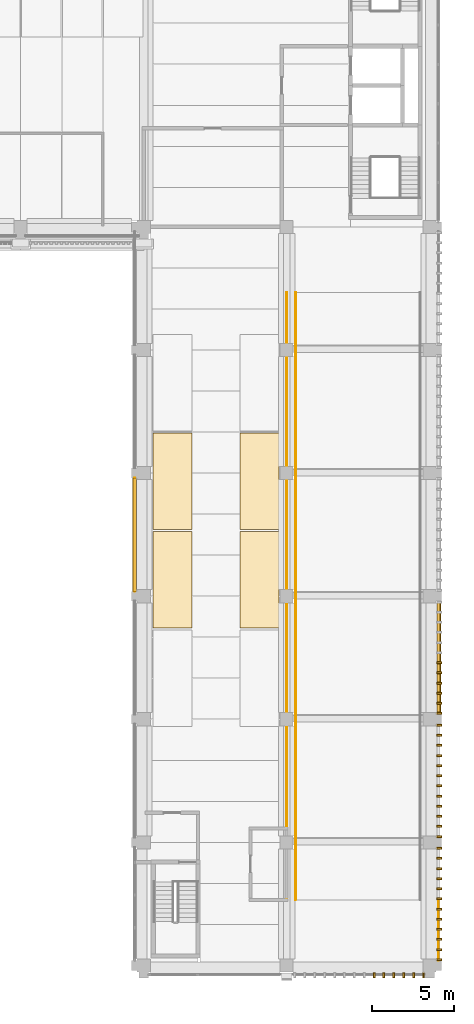
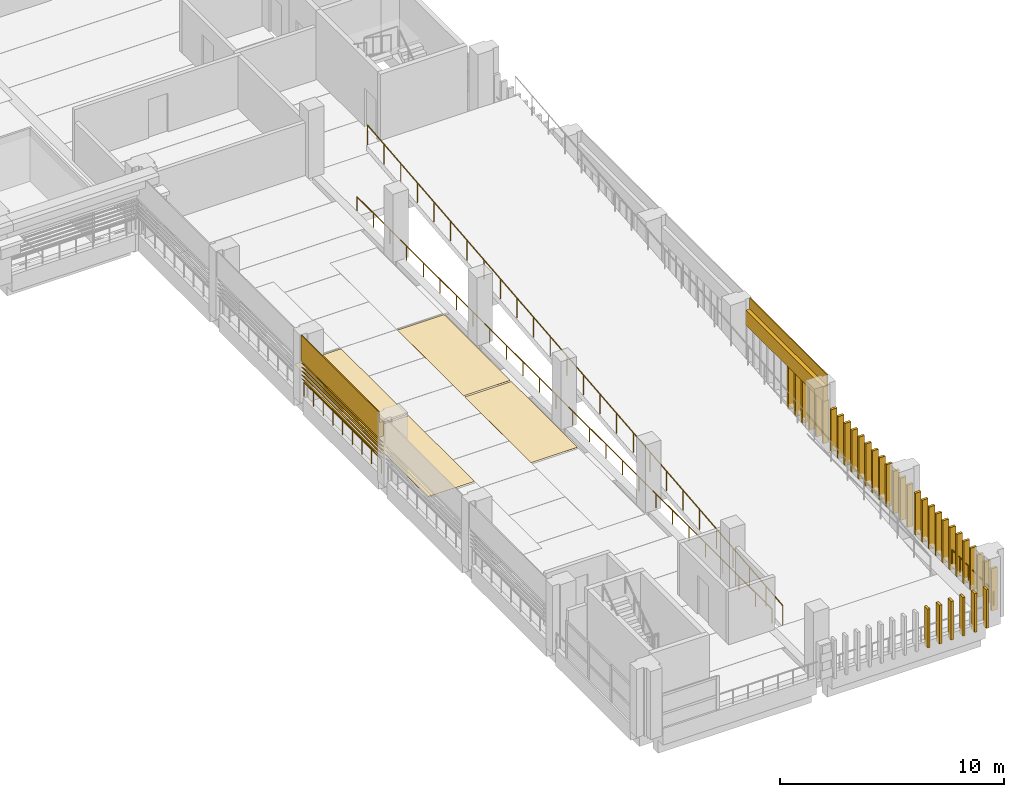
# One storey, part 59 of 71: 42 coverings, 5 shading devices, 4 railings.
"""IFC4 building model written with IfcOpenShell, lengths in metres."""

import ifcopenshell
import ifcopenshell.guid

model = None  # the IFC model being written
_history = None  # IfcOwnerHistory: only IFC2X3 demands one
_inside = {}  # id of a spatial element -> (the spatial element, [elements in it])
_under = {}  # id of a project, library or spatial element -> (it, [spatial elements below it])
_declared = {}  # id of a project -> (the project, [libraries it declares])
_typed = {}  # id of a type object -> (the type object, [elements of that type])
_made_of = {}  # id of a material, layer set ... -> (it, [elements and type objects made of it])


def new_model(schema):
    """Start an empty IFC model of exactly this schema.

    Asked for "IFC4X3", IfcOpenShell would pick the latest addendum, in which some entities
    have other attributes; the version numbers below select the first issue.
    IFC2X3 requires an IfcOwnerHistory on every rooted entity: one is made here for all.
    """
    global model, _history
    if schema == "IFC4X3":
        model = ifcopenshell.file(schema_version=(4, 3, 0, 0))
    else:
        model = ifcopenshell.file(schema=schema)
    _inside.clear()
    _under.clear()
    _declared.clear()
    _typed.clear()
    _made_of.clear()
    _history = None
    if model.schema == "IFC2X3":
        org = make("IfcOrganization", Name="unknown")
        user = make(
            "IfcPersonAndOrganization",
            ThePerson=make("IfcPerson", FamilyName="unknown"),
            TheOrganization=org,
        )
        app = make(
            "IfcApplication",
            ApplicationDeveloper=org,
            Version="unknown",
            ApplicationFullName="unknown",
            ApplicationIdentifier="unknown",
        )
        _history = make(
            "IfcOwnerHistory",
            OwningUser=user,
            OwningApplication=app,
            ChangeAction="ADDED",
            CreationDate=0,
        )
    return model


def make(cls, **values):
    """One entity of the class cls with the attributes given. An attribute that is None is left unset."""
    return model.create_entity(
        cls, **{name: value for name, value in values.items() if value is not None}
    )


def rooted(cls, **values):
    """An entity with a GlobalId (a new one), such as an element, a storey or a relation."""
    return make(cls, GlobalId=ifcopenshell.guid.new(), OwnerHistory=_history, **values)


def si_unit(unit_type, name, prefix=None):
    """IfcSIUnit, for example si_unit("LENGTHUNIT", "METRE", prefix="MILLI")."""
    return make("IfcSIUnit", UnitType=unit_type, Prefix=prefix, Name=name)


def assignment(units):
    """IfcUnitAssignment: the units of a project."""
    return None if units is None else make("IfcUnitAssignment", Units=units)


def point(xyz):
    """IfcCartesianPoint."""
    return None if xyz is None else make("IfcCartesianPoint", Coordinates=xyz)


def direction(xyz):
    """IfcDirection."""
    return None if xyz is None else make("IfcDirection", DirectionRatios=xyz)


def frame(location, z_axis=None, x_axis=None):
    """IfcAxis2Placement3D, a coordinate frame: its origin and axes. An axis left out is left unset."""
    return make(
        "IfcAxis2Placement3D",
        Location=point(location),
        Axis=direction(z_axis),
        RefDirection=direction(x_axis),
    )


def frame_2d(location, x_axis=None):
    """IfcAxis2Placement2D, a coordinate frame in the plane: its origin and x axis."""
    return make(
        "IfcAxis2Placement2D", Location=point(location), RefDirection=direction(x_axis)
    )


def origin():
    """The frame at (0, 0, 0) with its axes left unset."""
    return frame((0.0, 0.0, 0.0))


def origin_2d():
    """The frame at (0, 0) in the plane with its x axis left unset."""
    return frame_2d((0.0, 0.0))


def place(relative_to, where):
    """IfcLocalPlacement: puts the frame where relative to a parent placement (None: the world)."""
    return make(
        "IfcLocalPlacement", PlacementRelTo=relative_to, RelativePlacement=where
    )


def context(
    kind, dimensions, precision=None, world=None, true_north=None, identifier=None
):
    """IfcGeometricRepresentationContext, for example the 3D "Model" context."""
    return make(
        "IfcGeometricRepresentationContext",
        ContextIdentifier=identifier,
        ContextType=kind,
        CoordinateSpaceDimension=dimensions,
        Precision=precision,
        WorldCoordinateSystem=world,
        TrueNorth=true_north,
    )


def subcontext(parent, identifier, kind, view, scale=None):
    """IfcGeometricRepresentationSubContext, for example "Body" below "Model"."""
    return make(
        "IfcGeometricRepresentationSubContext",
        ContextIdentifier=identifier,
        ContextType=kind,
        ParentContext=parent,
        TargetScale=scale,
        TargetView=view,
    )


def project(units=None, contexts=None):
    """IfcProject with its units and contexts."""
    return rooted(
        "IfcProject",
        Name="project",
        RepresentationContexts=contexts,
        UnitsInContext=assignment(units),
    )


def spatial(cls, under=None, at=None, **own):
    """A site, building, storey or space (cls), placed at a placement, below another one or the project."""
    s = rooted(cls, ObjectPlacement=at, **own)
    if under is not None:
        _under.setdefault(under.id(), (under, []))[1].append(s)
    return s


def polyline(points):
    """IfcPolyline through the points."""
    return make("IfcPolyline", Points=[point(p) for p in points])


def profile(cls, at=None, kind="AREA", **sizes):
    """A parametric profile (cls). Its sizes go by their IFC names, for example OverallWidth=200.0."""
    return make(cls, ProfileType=kind, Position=at, **sizes)


def circle(**sizes):
    """IfcCircleProfileDef."""
    return profile("IfcCircleProfileDef", **sizes)


def outline(outer, holes=None, kind="AREA"):
    """IfcArbitraryClosedProfileDef: a profile drawn as a closed curve; with holes, ...WithVoids."""
    if holes is None:
        return make("IfcArbitraryClosedProfileDef", ProfileType=kind, OuterCurve=outer)
    return make(
        "IfcArbitraryProfileDefWithVoids",
        ProfileType=kind,
        OuterCurve=outer,
        InnerCurves=holes,
    )


def extrude(swept, where, along, depth):
    """IfcExtrudedAreaSolid: the profile swept, set in the frame where, extruded along a direction by depth."""
    return make(
        "IfcExtrudedAreaSolid",
        SweptArea=swept,
        Position=where,
        ExtrudedDirection=direction(along),
        Depth=depth,
    )


def shape(context_of_items, identifier, shape_type, items):
    """IfcShapeRepresentation: the items that make up one representation, for example the "Body"."""
    return make(
        "IfcShapeRepresentation",
        ContextOfItems=context_of_items,
        RepresentationIdentifier=identifier,
        RepresentationType=shape_type,
        Items=items,
    )


def material(Name=None, Category=None):
    """IfcMaterial."""
    return make("IfcMaterial", Name=Name, Category=Category)


def layer(
    of_material, thickness, ventilated=None, Name=None, Category=None, Priority=None
):
    """IfcMaterialLayer: one layer of a wall or slab, of a material (None: an air gap)."""
    return make(
        "IfcMaterialLayer",
        Material=of_material,
        LayerThickness=thickness,
        IsVentilated=ventilated,
        Name=Name,
        Category=Category,
        Priority=Priority,
    )


def layer_set(layers, Name=None):
    """IfcMaterialLayerSet."""
    return make("IfcMaterialLayerSet", MaterialLayers=layers, LayerSetName=Name)


def made_of(thing, what):
    """Note that an element or type object is made of a material, layer set ...; save() writes the relation."""
    if what is not None:
        _made_of.setdefault(what.id(), (what, []))[1].append(thing)
    return thing


def type_object(cls, material=None, **own):
    """A type object (cls), such as IfcWallType, which elements share."""
    return made_of(rooted(cls, **own), material)


def element(
    cls,
    number,
    at=None,
    inside=None,
    cuts=None,
    type_object=None,
    material=None,
    context=None,
    identifier="Body",
    shape_type=None,
    held_by="IfcProductDefinitionShape",
    body=None,
    shapes=None,
    **own,
):
    """One element of the class cls, such as IfcWall. Its Tag is "e" and its number.

    at: its placement. inside: the storey or other place that contains it. cuts: it is an
    opening in that element (IfcRelVoidsElement). A single representation is given by context,
    identifier, shape_type and body (its items); several are given by shapes. held_by: the class
    of the entity that holds the representations. save() writes the other relations.
    """
    e = rooted(cls, Tag="e%d" % number, ObjectPlacement=at, **own)
    if body is not None:
        shapes = [shape(context, identifier, shape_type, body)]
    if shapes is not None:
        e.Representation = make(held_by, Representations=shapes)
    if inside is not None:
        _inside.setdefault(inside.id(), (inside, []))[1].append(e)
    if cuts is not None:
        rooted(
            "IfcRelVoidsElement", RelatingBuildingElement=cuts, RelatedOpeningElement=e
        )
    if type_object is not None:
        _typed.setdefault(type_object.id(), (type_object, []))[1].append(e)
    return made_of(e, material)


def aggregate(whole, parts):
    """IfcRelAggregates: a whole, such as a stair, and the parts it consists of."""
    return rooted("IfcRelAggregates", RelatingObject=whole, RelatedObjects=parts)


def save(model, path):
    """Write the relations noted so far, then the file.

    IfcRelAggregates (storeys below a building ...), IfcRelContainedInSpatialStructure (elements
    in a storey), IfcRelDefinesByType, IfcRelAssociatesMaterial and IfcRelDeclares: one each for
    every whole, place, type object, material and project.
    """
    for whole, parts in _under.values():
        aggregate(whole, parts)
    for where, things in _inside.values():
        rooted(
            "IfcRelContainedInSpatialStructure",
            RelatedElements=things,
            RelatingStructure=where,
        )
    for kind, things in _typed.values():
        rooted("IfcRelDefinesByType", RelatedObjects=things, RelatingType=kind)
    for what, things in _made_of.values():
        rooted("IfcRelAssociatesMaterial", RelatedObjects=things, RelatingMaterial=what)
    for by, libraries in _declared.values():
        rooted("IfcRelDeclares", RelatingContext=by, RelatedDefinitions=libraries)
    model.write(path)


model = new_model("IFC4")

# Units and contexts
model_context = context("Model", 3, precision=1e-05, world=origin(), true_north=direction((0.0, 1.0)))
body_context = subcontext(model_context, "Body", "Model", "MODEL_VIEW")
ifc_project = project(units=[si_unit("LENGTHUNIT", "METRE"), si_unit("AREAUNIT", "SQUARE_METRE"), si_unit("VOLUMEUNIT", "CUBIC_METRE"), si_unit("PLANEANGLEUNIT", "RADIAN"), si_unit("MASSUNIT", "GRAM", prefix="KILO")], contexts=[model_context])

# Site, building, storey
site_placement = place(None, origin())
site = spatial("IfcSite", under=ifc_project, at=site_placement, CompositionType="ELEMENT")
building_placement = place(site_placement, origin())
building = spatial("IfcBuilding", under=site, at=building_placement, Name="Cour d'Honneur Mobility Palace", CompositionType="ELEMENT")
storey_placement = place(building_placement, frame((0.0, 0.0, 15.60009765625)))
storey = spatial("IfcBuildingStorey", under=building, at=storey_placement, Name="L04", CompositionType="ELEMENT", Elevation=15.60009765625)

# Railings
ifc_material_1 = material(Name="Painted steel", Category="steel")
railing_type_1 = type_object("IfcRailingType", Name="Balustrade", PredefinedType="BALUSTRADE", material=ifc_material_1)
railing_1_placement = place(storey_placement, frame((144.35009765625, 29.699951171875, 0.2998046875)))
element("IfcRailing", 1, at=railing_1_placement, inside=storey, type_object=railing_type_1, Name="Balustrade BAL-220", PredefinedType="BALUSTRADE", context=body_context, shape_type="SweptSolid", body=[
    extrude(circle(Radius=0.02392578125, at=origin_2d()), frame((0.0, 0.0, 0.77587890625), z_axis=(0.0, -1.0, 0.0), x_axis=(1.0, 0.0, 0.0)), (0.0, 0.0, 1.0), 6.89990234375),
    extrude(circle(Radius=0.02099609375, at=origin_2d()), origin(), (0.0, 0.0, 1.0), 0.751953125),
    extrude(circle(Radius=0.02099609375, at=origin_2d()), frame((0.0, -0.862548828125, 0.0)), (0.0, 0.0, 1.0), 0.751953125),
    extrude(circle(Radius=0.02099609375, at=origin_2d()), frame((0.0, -1.72509765625, 0.0)), (0.0, 0.0, 1.0), 0.751953125),
    extrude(circle(Radius=0.02099609375, at=origin_2d()), frame((0.0, -2.58740234375, 0.0)), (0.0, 0.0, 1.0), 0.751953125),
    extrude(circle(Radius=0.02099609375, at=origin_2d()), frame((0.0, -3.449951171875, 0.0)), (0.0, 0.0, 1.0), 0.751953125),
    extrude(circle(Radius=0.02099609375, at=origin_2d()), frame((0.0, -4.3125, 0.0)), (0.0, 0.0, 1.0), 0.751953125),
    extrude(circle(Radius=0.02099609375, at=origin_2d()), frame((0.0, -5.1748046875, 0.0)), (0.0, 0.0, 1.0), 0.751953125),
    extrude(circle(Radius=0.02099609375, at=origin_2d()), frame((0.0, -6.037353515625, 0.0)), (0.0, 0.0, 1.0), 0.751953125),
    extrude(circle(Radius=0.02099609375, at=origin_2d()), frame((0.0, -6.89990234375, 0.0)), (0.0, 0.0, 1.0), 0.751953125),
])
railing_2_placement = place(storey_placement, frame((162.85009765625, 0.300048828125, 0.2998046875)))
element("IfcRailing", 2, at=railing_2_placement, inside=storey, type_object=railing_type_1, Name="Balustrade BAL-226", PredefinedType="BALUSTRADE", context=body_context, shape_type="SweptSolid", body=[
    extrude(circle(Radius=0.02392578125, at=origin_2d()), frame((0.0, 0.0, 0.77587890625), z_axis=(0.0, 1.0, 0.0), x_axis=(-1.0, 0.0, 0.0)), (0.0, 0.0, 1.0), 3.699951171875),
    extrude(circle(Radius=0.02099609375, at=origin_2d()), origin(), (0.0, 0.0, 1.0), 0.751953125),
    extrude(circle(Radius=0.02099609375, at=origin_2d()), frame((0.0, 0.739990234375, 0.0)), (0.0, 0.0, 1.0), 0.751953125),
    extrude(circle(Radius=0.02099609375, at=origin_2d()), frame((0.0, 1.47998046875, 0.0)), (0.0, 0.0, 1.0), 0.751953125),
    extrude(circle(Radius=0.02099609375, at=origin_2d()), frame((0.0, 2.219970703125, 0.0)), (0.0, 0.0, 1.0), 0.751953125),
    extrude(circle(Radius=0.02099609375, at=origin_2d()), frame((0.0, 2.9599609375, 0.0)), (0.0, 0.0, 1.0), 0.751953125),
    extrude(circle(Radius=0.02099609375, at=origin_2d()), frame((0.0, 3.699951171875, 0.0)), (0.0, 0.0, 1.0), 0.751953125),
])

# Coverings
ifc_material_2 = material(Name="Parking marking paint")
ifc_layer_1 = layer(ifc_material_2, 0.0048828125)
ifc_layer_set_1 = layer_set([ifc_layer_1], Name="Parking marking paint")
covering_type_1 = type_object("IfcCoveringType", Name="Parking bay marking", PredefinedType="FLOORING", material=ifc_layer_set_1)
covering_1_placement = place(storey_placement, origin())
element("IfcCovering", 3, at=covering_1_placement, inside=storey, type_object=covering_type_1, Name="Parking bay marking L04 45", PredefinedType="FLOORING", context=body_context, shape_type="SweptSolid", body=[
    extrude(outline(polyline([(153.14990234375, 20.550048828125), (150.75, 20.550048828125), (150.75, 26.449951171875), (153.14990234375, 26.449951171875), (153.14990234375, 20.550048828125)])), origin(), (0.0, 0.0, 1.0), 0.0048828125),
])
covering_2_placement = place(storey_placement, origin())
element("IfcCovering", 4, at=covering_2_placement, inside=storey, type_object=covering_type_1, Name="Parking bay marking L04 46", PredefinedType="FLOORING", context=body_context, shape_type="SweptSolid", body=[
    extrude(outline(polyline([(153.14990234375, 26.550048828125), (150.75, 26.550048828125), (150.75, 32.449951171875), (153.14990234375, 32.449951171875), (153.14990234375, 26.550048828125)])), origin(), (0.0, 0.0, 1.0), 0.0048828125),
])
covering_3_placement = place(storey_placement, origin())
element("IfcCovering", 5, at=covering_3_placement, inside=storey, type_object=covering_type_1, Name="Parking bay marking L04 49", PredefinedType="FLOORING", context=body_context, shape_type="SweptSolid", body=[
    extrude(outline(polyline([(147.85009765625, 20.550048828125), (145.449951171875, 20.550048828125), (145.449951171875, 26.449951171875), (147.85009765625, 26.449951171875), (147.85009765625, 20.550048828125)])), origin(), (0.0, 0.0, 1.0), 0.0048828125),
])
covering_4_placement = place(storey_placement, origin())
element("IfcCovering", 6, at=covering_4_placement, inside=storey, type_object=covering_type_1, Name="Parking bay marking L04 50", PredefinedType="FLOORING", context=body_context, shape_type="SweptSolid", body=[
    extrude(outline(polyline([(147.85009765625, 26.550048828125), (145.449951171875, 26.550048828125), (145.449951171875, 32.449951171875), (147.85009765625, 32.449951171875), (147.85009765625, 26.550048828125)])), origin(), (0.0, 0.0, 1.0), 0.0048828125),
])

# Railing
ifc_material_3 = material(Name="Painted steel", Category="steel")
railing_type_2 = type_object("IfcRailingType", Name="Ramp guard 1100", PredefinedType="GUARDRAIL", material=ifc_material_3)
railing_3_placement = place(storey_placement, frame((154.14990234375, 4.0, 0.0)))
element("IfcRailing", 7, at=railing_3_placement, inside=storey, type_object=railing_type_2, Name="Ramp guard Ramp East 5", PredefinedType="GUARDRAIL", context=body_context, shape_type="SweptSolid", body=[
    extrude(circle(Radius=0.02490234375, at=origin_2d()), frame((0.0, 0.0, 1.0751953125), z_axis=(0.0, 0.995037320222, 0.099502418892), x_axis=(-1.0, 0.0, 0.0)), (0.0, 0.0, 1.0), 37.1845703125),
    extrude(circle(Radius=0.02099609375, at=origin_2d()), origin(), (0.0, 0.0, 1.0), 1.050048828125),
    extrude(circle(Radius=0.02099609375, at=origin_2d()), frame((0.0, 1.47998046875, 0.14794921875)), (0.0, 0.0, 1.0), 1.050048828125),
    extrude(circle(Radius=0.02099609375, at=origin_2d()), frame((0.0, 2.9599609375, 0.2958984375)), (0.0, 0.0, 1.0), 1.050048828125),
    extrude(circle(Radius=0.02099609375, at=origin_2d()), frame((0.0, 4.43994140625, 0.444091796875)), (0.0, 0.0, 1.0), 1.050048828125),
    extrude(circle(Radius=0.02099609375, at=origin_2d()), frame((0.0, 5.919921875, 0.592041015625)), (0.0, 0.0, 1.0), 1.050048828125),
    extrude(circle(Radius=0.02099609375, at=origin_2d()), frame((0.0, 7.39990234375, 0.739990234375)), (0.0, 0.0, 1.0), 1.050048828125),
    extrude(circle(Radius=0.02099609375, at=origin_2d()), frame((0.0, 8.8798828125, 0.887939453125)), (0.0, 0.0, 1.0), 1.050048828125),
    extrude(circle(Radius=0.02099609375, at=origin_2d()), frame((0.0, 10.360107421875, 1.035888671875)), (0.0, 0.0, 1.0), 1.050048828125),
    extrude(circle(Radius=0.02099609375, at=origin_2d()), frame((0.0, 11.840087890625, 1.18408203125)), (0.0, 0.0, 1.0), 1.050048828125),
    extrude(circle(Radius=0.02099609375, at=origin_2d()), frame((0.0, 13.320068359375, 1.33203125)), (0.0, 0.0, 1.0), 1.050048828125),
    extrude(circle(Radius=0.02099609375, at=origin_2d()), frame((0.0, 14.800048828125, 1.47998046875)), (0.0, 0.0, 1.0), 1.050048828125),
    extrude(circle(Radius=0.02099609375, at=origin_2d()), frame((0.0, 16.280029296875, 1.6279296875)), (0.0, 0.0, 1.0), 1.050048828125),
    extrude(circle(Radius=0.02099609375, at=origin_2d()), frame((0.0, 17.760009765625, 1.77587890625)), (0.0, 0.0, 1.0), 1.050048828125),
    extrude(circle(Radius=0.02099609375, at=origin_2d()), frame((0.0, 19.239990234375, 1.924072265625)), (0.0, 0.0, 1.0), 1.050048828125),
    extrude(circle(Radius=0.02099609375, at=origin_2d()), frame((0.0, 20.719970703125, 2.072021484375)), (0.0, 0.0, 1.0), 1.050048828125),
    extrude(circle(Radius=0.02099609375, at=origin_2d()), frame((0.0, 22.199951171875, 2.219970703125)), (0.0, 0.0, 1.0), 1.050048828125),
    extrude(circle(Radius=0.02099609375, at=origin_2d()), frame((0.0, 23.679931640625, 2.367919921875)), (0.0, 0.0, 1.0), 1.050048828125),
    extrude(circle(Radius=0.02099609375, at=origin_2d()), frame((0.0, 25.159912109375, 2.515869140625)), (0.0, 0.0, 1.0), 1.050048828125),
    extrude(circle(Radius=0.02099609375, at=origin_2d()), frame((0.0, 26.639892578125, 2.6640625)), (0.0, 0.0, 1.0), 1.050048828125),
    extrude(circle(Radius=0.02099609375, at=origin_2d()), frame((0.0, 28.1201171875, 2.81201171875)), (0.0, 0.0, 1.0), 1.050048828125),
    extrude(circle(Radius=0.02099609375, at=origin_2d()), frame((0.0, 29.60009765625, 2.9599609375)), (0.0, 0.0, 1.0), 1.050048828125),
    extrude(circle(Radius=0.02099609375, at=origin_2d()), frame((0.0, 31.080078125, 3.10791015625)), (0.0, 0.0, 1.0), 1.050048828125),
    extrude(circle(Radius=0.02099609375, at=origin_2d()), frame((0.0, 32.56005859375, 3.255859375)), (0.0, 0.0, 1.0), 1.050048828125),
    extrude(circle(Radius=0.02099609375, at=origin_2d()), frame((0.0, 34.0400390625, 3.404052734375)), (0.0, 0.0, 1.0), 1.050048828125),
    extrude(circle(Radius=0.02099609375, at=origin_2d()), frame((0.0, 35.52001953125, 3.552001953125)), (0.0, 0.0, 1.0), 1.050048828125),
    extrude(circle(Radius=0.02099609375, at=origin_2d()), frame((0.0, 37.0, 3.699951171875)), (0.0, 0.0, 1.0), 1.050048828125),
])

# Coverings
ifc_material_4 = material(Name="Cast limestone", Category="masonry")
ifc_layer_2 = layer(ifc_material_4, 0.1201171875)
ifc_layer_set_2 = layer_set([ifc_layer_2], Name="Cast limestone")
covering_type_2 = type_object("IfcCoveringType", Name="Ramp screen fin", PredefinedType="CLADDING", material=ifc_layer_set_2)
covering_5_placement = place(storey_placement, origin())
element("IfcCovering", 8, at=covering_5_placement, inside=storey, type_object=covering_type_2, Name="Ramp screen fin S4.1 L04 9", PredefinedType="CLADDING", context=body_context, shape_type="SweptSolid", body=[
    extrude(outline(polyline([(158.868408203125, -0.449951171875), (158.988525390625, -0.449951171875), (158.988525390625, -0.75), (158.868408203125, -0.75), (158.868408203125, -0.449951171875)])), origin(), (0.0, 0.0, 1.0), 2.099853515625),
])
covering_6_placement = place(storey_placement, origin())
element("IfcCovering", 9, at=covering_6_placement, inside=storey, type_object=covering_type_2, Name="Ramp screen fin S4.1 L04 10", PredefinedType="CLADDING", context=body_context, shape_type="SweptSolid", body=[
    extrude(outline(polyline([(159.470703125, -0.449951171875), (159.5908203125, -0.449951171875), (159.5908203125, -0.75), (159.470703125, -0.75), (159.470703125, -0.449951171875)])), origin(), (0.0, 0.0, 1.0), 2.099853515625),
])
covering_7_placement = place(storey_placement, origin())
element("IfcCovering", 10, at=covering_7_placement, inside=storey, type_object=covering_type_2, Name="Ramp screen fin S4.1 L04 11", PredefinedType="CLADDING", context=body_context, shape_type="SweptSolid", body=[
    extrude(outline(polyline([(160.072998046875, -0.449951171875), (160.193115234375, -0.449951171875), (160.193115234375, -0.75), (160.072998046875, -0.75), (160.072998046875, -0.449951171875)])), origin(), (0.0, 0.0, 1.0), 2.099853515625),
])
covering_8_placement = place(storey_placement, origin())
element("IfcCovering", 11, at=covering_8_placement, inside=storey, type_object=covering_type_2, Name="Ramp screen fin S4.1 L04 12", PredefinedType="CLADDING", context=body_context, shape_type="SweptSolid", body=[
    extrude(outline(polyline([(160.67529296875, -0.449951171875), (160.79541015625, -0.449951171875), (160.79541015625, -0.75), (160.67529296875, -0.75), (160.67529296875, -0.449951171875)])), origin(), (0.0, 0.0, 1.0), 2.099853515625),
])
covering_9_placement = place(storey_placement, origin())
element("IfcCovering", 12, at=covering_9_placement, inside=storey, type_object=covering_type_2, Name="Ramp screen fin S4.1 L04 13", PredefinedType="CLADDING", context=body_context, shape_type="SweptSolid", body=[
    extrude(outline(polyline([(161.277587890625, -0.449951171875), (161.397705078125, -0.449951171875), (161.397705078125, -0.75), (161.277587890625, -0.75), (161.277587890625, -0.449951171875)])), origin(), (0.0, 0.0, 1.0), 2.099853515625),
])
covering_10_placement = place(storey_placement, origin())
element("IfcCovering", 13, at=covering_10_placement, inside=storey, type_object=covering_type_2, Name="Ramp screen fin S4.1 L04 14", PredefinedType="CLADDING", context=body_context, shape_type="SweptSolid", body=[
    extrude(outline(polyline([(161.8798828125, -0.449951171875), (162.0, -0.449951171875), (162.0, -0.75), (161.8798828125, -0.75), (161.8798828125, -0.449951171875)])), origin(), (0.0, 0.0, 1.0), 2.099853515625),
])
covering_11_placement = place(storey_placement, origin())
element("IfcCovering", 14, at=covering_11_placement, inside=storey, type_object=covering_type_2, Name="Ramp screen fin E5.0 L04 1", PredefinedType="CLADDING", context=body_context, shape_type="SweptSolid", body=[
    extrude(outline(polyline([(162.75, 0.300048828125), (162.75, 0.419921875), (163.050048828125, 0.419921875), (163.050048828125, 0.300048828125), (162.75, 0.300048828125)])), origin(), (0.0, 0.0, 1.0), 2.2998046875),
])
covering_12_placement = place(storey_placement, origin())
element("IfcCovering", 15, at=covering_12_placement, inside=storey, type_object=covering_type_2, Name="Ramp screen fin E5.0 L04 2", PredefinedType="CLADDING", context=body_context, shape_type="SweptSolid", body=[
    extrude(outline(polyline([(162.75, 0.916259765625), (162.75, 1.036376953125), (163.050048828125, 1.036376953125), (163.050048828125, 0.916259765625), (162.75, 0.916259765625)])), origin(), (0.0, 0.0, 1.0), 2.2998046875),
])
covering_13_placement = place(storey_placement, origin())
element("IfcCovering", 16, at=covering_13_placement, inside=storey, type_object=covering_type_2, Name="Ramp screen fin E5.0 L04 3", PredefinedType="CLADDING", context=body_context, shape_type="SweptSolid", body=[
    extrude(outline(polyline([(162.75, 1.53271484375), (162.75, 1.65283203125), (163.050048828125, 1.65283203125), (163.050048828125, 1.53271484375), (162.75, 1.53271484375)])), origin(), (0.0, 0.0, 1.0), 2.2998046875),
])
covering_14_placement = place(storey_placement, origin())
element("IfcCovering", 17, at=covering_14_placement, inside=storey, type_object=covering_type_2, Name="Ramp screen fin E5.0 L04 4", PredefinedType="CLADDING", context=body_context, shape_type="SweptSolid", body=[
    extrude(outline(polyline([(162.75, 2.149169921875), (162.75, 2.26904296875), (163.050048828125, 2.26904296875), (163.050048828125, 2.149169921875), (162.75, 2.149169921875)])), origin(), (0.0, 0.0, 1.0), 2.2998046875),
])
covering_15_placement = place(storey_placement, origin())
element("IfcCovering", 18, at=covering_15_placement, inside=storey, type_object=covering_type_2, Name="Ramp screen fin E5.0 L04 5", PredefinedType="CLADDING", context=body_context, shape_type="SweptSolid", body=[
    extrude(outline(polyline([(162.75, 2.765380859375), (162.75, 2.885498046875), (163.050048828125, 2.885498046875), (163.050048828125, 2.765380859375), (162.75, 2.765380859375)])), origin(), (0.0, 0.0, 1.0), 2.2998046875),
])
covering_16_placement = place(storey_placement, origin())
element("IfcCovering", 19, at=covering_16_placement, inside=storey, type_object=covering_type_2, Name="Ramp screen fin E5.0 L04 6", PredefinedType="CLADDING", context=body_context, shape_type="SweptSolid", body=[
    extrude(outline(polyline([(162.75, 3.3818359375), (162.75, 3.501708984375), (163.050048828125, 3.501708984375), (163.050048828125, 3.3818359375), (162.75, 3.3818359375)])), origin(), (0.0, 0.0, 1.0), 2.2998046875),
])
covering_17_placement = place(storey_placement, origin())
element("IfcCovering", 20, at=covering_17_placement, inside=storey, type_object=covering_type_2, Name="Ramp screen fin E5.0 L04 7", PredefinedType="CLADDING", context=body_context, shape_type="SweptSolid", body=[
    extrude(outline(polyline([(162.75, 3.998291015625), (162.75, 4.1181640625), (163.050048828125, 4.1181640625), (163.050048828125, 3.998291015625), (162.75, 3.998291015625)])), origin(), (0.0, 0.0, 1.0), 2.2998046875),
])
covering_18_placement = place(storey_placement, origin())
element("IfcCovering", 21, at=covering_18_placement, inside=storey, type_object=covering_type_2, Name="Ramp screen fin E5.0 L04 8", PredefinedType="CLADDING", context=body_context, shape_type="SweptSolid", body=[
    extrude(outline(polyline([(162.75, 4.614501953125), (162.75, 4.734619140625), (163.050048828125, 4.734619140625), (163.050048828125, 4.614501953125), (162.75, 4.614501953125)])), origin(), (0.0, 0.0, 1.0), 2.2998046875),
])
covering_19_placement = place(storey_placement, origin())
element("IfcCovering", 22, at=covering_19_placement, inside=storey, type_object=covering_type_2, Name="Ramp screen fin E5.0 L04 9", PredefinedType="CLADDING", context=body_context, shape_type="SweptSolid", body=[
    extrude(outline(polyline([(162.75, 5.23095703125), (162.75, 5.350830078125), (163.050048828125, 5.350830078125), (163.050048828125, 5.23095703125), (162.75, 5.23095703125)])), origin(), (0.0, 0.0, 1.0), 2.2998046875),
])
covering_20_placement = place(storey_placement, origin())
element("IfcCovering", 23, at=covering_20_placement, inside=storey, type_object=covering_type_2, Name="Ramp screen fin E5.0 L04 10", PredefinedType="CLADDING", context=body_context, shape_type="SweptSolid", body=[
    extrude(outline(polyline([(162.75, 5.84716796875), (162.75, 5.96728515625), (163.050048828125, 5.96728515625), (163.050048828125, 5.84716796875), (162.75, 5.84716796875)])), origin(), (0.0, 0.0, 1.0), 2.2998046875),
])
covering_21_placement = place(storey_placement, origin())
element("IfcCovering", 24, at=covering_21_placement, inside=storey, type_object=covering_type_2, Name="Ramp screen fin E5.0 L04 11", PredefinedType="CLADDING", context=body_context, shape_type="SweptSolid", body=[
    extrude(outline(polyline([(162.75, 6.463623046875), (162.75, 6.583740234375), (163.050048828125, 6.583740234375), (163.050048828125, 6.463623046875), (162.75, 6.463623046875)])), origin(), (0.0, 0.0, 1.0), 2.2998046875),
])
covering_22_placement = place(storey_placement, origin())
element("IfcCovering", 25, at=covering_22_placement, inside=storey, type_object=covering_type_2, Name="Ramp screen fin E5.0 L04 12", PredefinedType="CLADDING", context=body_context, shape_type="SweptSolid", body=[
    extrude(outline(polyline([(162.75, 7.080078125), (162.75, 7.199951171875), (163.050048828125, 7.199951171875), (163.050048828125, 7.080078125), (162.75, 7.080078125)])), origin(), (0.0, 0.0, 1.0), 2.2998046875),
])
covering_23_placement = place(storey_placement, origin())
element("IfcCovering", 26, at=covering_23_placement, inside=storey, type_object=covering_type_2, Name="Ramp screen fin E5.1 L04 1", PredefinedType="CLADDING", context=body_context, shape_type="SweptSolid", body=[
    extrude(outline(polyline([(162.75, 7.800048828125), (162.75, 7.919921875), (163.050048828125, 7.919921875), (163.050048828125, 7.800048828125), (162.75, 7.800048828125)])), origin(), (0.0, 0.0, 1.0), 2.2998046875),
])
covering_24_placement = place(storey_placement, origin())
element("IfcCovering", 27, at=covering_24_placement, inside=storey, type_object=covering_type_2, Name="Ramp screen fin E5.1 L04 2", PredefinedType="CLADDING", context=body_context, shape_type="SweptSolid", body=[
    extrude(outline(polyline([(162.75, 8.416259765625), (162.75, 8.536376953125), (163.050048828125, 8.536376953125), (163.050048828125, 8.416259765625), (162.75, 8.416259765625)])), origin(), (0.0, 0.0, 1.0), 2.2998046875),
])
covering_25_placement = place(storey_placement, origin())
element("IfcCovering", 28, at=covering_25_placement, inside=storey, type_object=covering_type_2, Name="Ramp screen fin E5.1 L04 3", PredefinedType="CLADDING", context=body_context, shape_type="SweptSolid", body=[
    extrude(outline(polyline([(162.75, 9.03271484375), (162.75, 9.15283203125), (163.050048828125, 9.15283203125), (163.050048828125, 9.03271484375), (162.75, 9.03271484375)])), origin(), (0.0, 0.0, 1.0), 2.2998046875),
])
covering_26_placement = place(storey_placement, origin())
element("IfcCovering", 29, at=covering_26_placement, inside=storey, type_object=covering_type_2, Name="Ramp screen fin E5.1 L04 4", PredefinedType="CLADDING", context=body_context, shape_type="SweptSolid", body=[
    extrude(outline(polyline([(162.75, 9.649169921875), (162.75, 9.76904296875), (163.050048828125, 9.76904296875), (163.050048828125, 9.649169921875), (162.75, 9.649169921875)])), origin(), (0.0, 0.0, 1.0), 2.2998046875),
])
covering_27_placement = place(storey_placement, origin())
element("IfcCovering", 30, at=covering_27_placement, inside=storey, type_object=covering_type_2, Name="Ramp screen fin E5.1 L04 5", PredefinedType="CLADDING", context=body_context, shape_type="SweptSolid", body=[
    extrude(outline(polyline([(162.75, 10.265380859375), (162.75, 10.385498046875), (163.050048828125, 10.385498046875), (163.050048828125, 10.265380859375), (162.75, 10.265380859375)])), origin(), (0.0, 0.0, 1.0), 2.2998046875),
])
covering_28_placement = place(storey_placement, origin())
element("IfcCovering", 31, at=covering_28_placement, inside=storey, type_object=covering_type_2, Name="Ramp screen fin E5.1 L04 6", PredefinedType="CLADDING", context=body_context, shape_type="SweptSolid", body=[
    extrude(outline(polyline([(162.75, 10.8818359375), (162.75, 11.001708984375), (163.050048828125, 11.001708984375), (163.050048828125, 10.8818359375), (162.75, 10.8818359375)])), origin(), (0.0, 0.0, 1.0), 2.2998046875),
])
covering_29_placement = place(storey_placement, origin())
element("IfcCovering", 32, at=covering_29_placement, inside=storey, type_object=covering_type_2, Name="Ramp screen fin E5.1 L04 7", PredefinedType="CLADDING", context=body_context, shape_type="SweptSolid", body=[
    extrude(outline(polyline([(162.75, 11.498291015625), (162.75, 11.6181640625), (163.050048828125, 11.6181640625), (163.050048828125, 11.498291015625), (162.75, 11.498291015625)])), origin(), (0.0, 0.0, 1.0), 2.2998046875),
])
covering_30_placement = place(storey_placement, origin())
element("IfcCovering", 33, at=covering_30_placement, inside=storey, type_object=covering_type_2, Name="Ramp screen fin E5.1 L04 8", PredefinedType="CLADDING", context=body_context, shape_type="SweptSolid", body=[
    extrude(outline(polyline([(162.75, 12.114501953125), (162.75, 12.234619140625), (163.050048828125, 12.234619140625), (163.050048828125, 12.114501953125), (162.75, 12.114501953125)])), origin(), (0.0, 0.0, 1.0), 2.2998046875),
])
covering_31_placement = place(storey_placement, origin())
element("IfcCovering", 34, at=covering_31_placement, inside=storey, type_object=covering_type_2, Name="Ramp screen fin E5.1 L04 9", PredefinedType="CLADDING", context=body_context, shape_type="SweptSolid", body=[
    extrude(outline(polyline([(162.75, 12.73095703125), (162.75, 12.850830078125), (163.050048828125, 12.850830078125), (163.050048828125, 12.73095703125), (162.75, 12.73095703125)])), origin(), (0.0, 0.0, 1.0), 2.2998046875),
])
covering_32_placement = place(storey_placement, origin())
element("IfcCovering", 35, at=covering_32_placement, inside=storey, type_object=covering_type_2, Name="Ramp screen fin E5.1 L04 10", PredefinedType="CLADDING", context=body_context, shape_type="SweptSolid", body=[
    extrude(outline(polyline([(162.75, 13.34716796875), (162.75, 13.46728515625), (163.050048828125, 13.46728515625), (163.050048828125, 13.34716796875), (162.75, 13.34716796875)])), origin(), (0.0, 0.0, 1.0), 2.2998046875),
])
covering_33_placement = place(storey_placement, origin())
element("IfcCovering", 36, at=covering_33_placement, inside=storey, type_object=covering_type_2, Name="Ramp screen fin E5.1 L04 11", PredefinedType="CLADDING", context=body_context, shape_type="SweptSolid", body=[
    extrude(outline(polyline([(162.75, 13.963623046875), (162.75, 14.083740234375), (163.050048828125, 14.083740234375), (163.050048828125, 13.963623046875), (162.75, 13.963623046875)])), origin(), (0.0, 0.0, 1.0), 2.2998046875),
])
covering_34_placement = place(storey_placement, origin())
element("IfcCovering", 37, at=covering_34_placement, inside=storey, type_object=covering_type_2, Name="Ramp screen fin E5.1 L04 12", PredefinedType="CLADDING", context=body_context, shape_type="SweptSolid", body=[
    extrude(outline(polyline([(162.75, 14.580078125), (162.75, 14.699951171875), (163.050048828125, 14.699951171875), (163.050048828125, 14.580078125), (162.75, 14.580078125)])), origin(), (0.0, 0.0, 1.0), 2.2998046875),
])
covering_35_placement = place(storey_placement, origin())
element("IfcCovering", 38, at=covering_35_placement, inside=storey, type_object=covering_type_2, Name="Ramp screen fin E5.2 L04 1", PredefinedType="CLADDING", context=body_context, shape_type="SweptSolid", body=[
    extrude(outline(polyline([(162.75, 15.300048828125), (162.75, 15.419921875), (163.050048828125, 15.419921875), (163.050048828125, 15.300048828125), (162.75, 15.300048828125)])), origin(), (0.0, 0.0, 1.0), 2.2998046875),
])
covering_36_placement = place(storey_placement, origin())
element("IfcCovering", 39, at=covering_36_placement, inside=storey, type_object=covering_type_2, Name="Ramp screen fin E5.2 L04 2", PredefinedType="CLADDING", context=body_context, shape_type="SweptSolid", body=[
    extrude(outline(polyline([(162.75, 15.916259765625), (162.75, 16.036376953125), (163.050048828125, 16.036376953125), (163.050048828125, 15.916259765625), (162.75, 15.916259765625)])), origin(), (0.0, 0.0, 1.0), 2.2998046875),
])
covering_37_placement = place(storey_placement, origin())
element("IfcCovering", 40, at=covering_37_placement, inside=storey, type_object=covering_type_2, Name="Ramp screen fin E5.2 L04 3", PredefinedType="CLADDING", context=body_context, shape_type="SweptSolid", body=[
    extrude(outline(polyline([(162.75, 16.53271484375), (162.75, 16.65283203125), (163.050048828125, 16.65283203125), (163.050048828125, 16.53271484375), (162.75, 16.53271484375)])), origin(), (0.0, 0.0, 1.0), 2.2998046875),
])
covering_38_placement = place(storey_placement, origin())
element("IfcCovering", 41, at=covering_38_placement, inside=storey, type_object=covering_type_2, Name="Ramp screen fin E5.2 L04 4", PredefinedType="CLADDING", context=body_context, shape_type="SweptSolid", body=[
    extrude(outline(polyline([(162.75, 17.149169921875), (162.75, 17.26904296875), (163.050048828125, 17.26904296875), (163.050048828125, 17.149169921875), (162.75, 17.149169921875)])), origin(), (0.0, 0.0, 1.0), 2.2998046875),
])
covering_39_placement = place(storey_placement, origin())
element("IfcCovering", 42, at=covering_39_placement, inside=storey, type_object=covering_type_2, Name="Ramp screen fin E5.2 L04 5", PredefinedType="CLADDING", context=body_context, shape_type="SweptSolid", body=[
    extrude(outline(polyline([(162.75, 17.765380859375), (162.75, 17.885498046875), (163.050048828125, 17.885498046875), (163.050048828125, 17.765380859375), (162.75, 17.765380859375)])), origin(), (0.0, 0.0, 1.0), 2.2998046875),
])
covering_40_placement = place(storey_placement, origin())
element("IfcCovering", 43, at=covering_40_placement, inside=storey, type_object=covering_type_2, Name="Ramp screen fin E5.2 L04 6", PredefinedType="CLADDING", context=body_context, shape_type="SweptSolid", body=[
    extrude(outline(polyline([(162.75, 18.3818359375), (162.75, 18.501708984375), (163.050048828125, 18.501708984375), (163.050048828125, 18.3818359375), (162.75, 18.3818359375)])), origin(), (0.0, 0.0, 1.0), 2.2998046875),
])
ifc_material_5 = material(Name="Cast limestone", Category="masonry")
ifc_layer_3 = layer(ifc_material_5, 0.25)
ifc_layer_set_3 = layer_set([ifc_layer_3], Name="Cast limestone")
covering_type_3 = type_object("IfcCoveringType", Name="Spandrel cladding", PredefinedType="CLADDING", material=ifc_layer_set_3)
for number, where, z_axis, x_axis, name in (
    (44, (144.449951171875, 29.699951171875, 2.2998046875), (0.0, 1.0, 0.0), (-1.0, 0.0, 0.0), "Spandrel cladding SK-296"),
    (45, (162.75, 15.300048828125, 2.2998046875), (0.0, -1.0, 0.0), (1.0, 0.0, 0.0), "Spandrel cladding SK-299"),
):
    element("IfcCovering", number, at=place(storey_placement, frame(where, z_axis=z_axis, x_axis=x_axis)), inside=storey, type_object=covering_type_3, Name=name, PredefinedType="CLADDING", context=body_context, shape_type="SweptSolid", body=[
        extrude(outline(polyline([(0.0, 0.0), (0.25, 0.0), (0.25, 1.400146484375), (0.199951171875, 1.400146484375), (0.199951171875, 0.800048828125), (0.0, 0.800048828125), (0.0, 0.0)])), origin(), (0.0, 0.0, -1.0), 6.89990234375),
    ])

# Shading devices
ifc_material_6 = material(Name="Terracotta", Category="masonry")
ifc_layer_4 = layer(ifc_material_6, 0.02490234375)
ifc_layer_set_4 = layer_set([ifc_layer_4], Name="Terracotta")
shading_device_type = type_object("IfcShadingDeviceType", Name="Terracotta louvre blade", PredefinedType="JALOUSIE", material=ifc_layer_set_4)
for number, where, z_axis, x_axis, name in (
    (46, (144.4560546875, 29.699951171875, 1.099853515625), (0.707106781187, 0.0, 0.707106781187), (0.0, -1.0, 0.0), "Louvre blade LV-1 W3.2 L04 1"),
    (47, (144.4560546875, 29.699951171875, 1.31201171875), (0.707106781187, 0.0, 0.707106781187), (0.0, -1.0, 0.0), "Louvre blade LV-1 W3.2 L04 2"),
    (48, (144.4560546875, 29.699951171875, 1.524169921875), (0.707106781187, 0.0, 0.707106781187), (0.0, -1.0, 0.0), "Louvre blade LV-1 W3.2 L04 3"),
    (49, (144.4560546875, 29.699951171875, 1.736328125), (0.707106781187, 0.0, 0.707106781187), (0.0, -1.0, 0.0), "Louvre blade LV-1 W3.2 L04 4"),
    (50, (144.4560546875, 29.699951171875, 1.948486328125), (0.707106781187, 0.0, 0.707106781187), (0.0, -1.0, 0.0), "Louvre blade LV-1 W3.2 L04 5"),
):
    element("IfcShadingDevice", number, at=place(storey_placement, frame(where, z_axis=z_axis, x_axis=x_axis)), inside=storey, type_object=shading_device_type, Name=name, PredefinedType="JALOUSIE", context=body_context, shape_type="SweptSolid", body=[
        extrude(outline(polyline([(0.0, 0.0), (6.89990234375, 0.0), (6.89990234375, -0.300037008228081), (0.0, -0.300037008228081), (0.0, 0.0)])), origin(), (0.0, 0.0, -1.0), 0.02490234375),
    ])

# Railing
ifc_material_7 = material(Name="Painted steel", Category="steel")
railing_type_3 = type_object("IfcRailingType", Name="Void edge guard 1100", PredefinedType="GUARDRAIL", material=ifc_material_7)
railing_4_placement = place(storey_placement, frame((153.60009765625, 4.0, 0.2998046875)))
element("IfcRailing", 51, at=railing_4_placement, inside=storey, type_object=railing_type_3, Name="Void edge guard SE L04", PredefinedType="GUARDRAIL", context=body_context, shape_type="SweptSolid", body=[
    extrude(circle(Radius=0.02490234375, at=origin_2d()), frame((0.0, 0.0, 0.77490234375), z_axis=(0.0, 1.0, 0.0), x_axis=(-1.0, 0.0, 0.0)), (0.0, 0.0, 1.0), 37.0),
    extrude(circle(Radius=0.02099609375, at=origin_2d()), origin(), (0.0, 0.0, 1.0), 0.75),
    extrude(circle(Radius=0.02099609375, at=origin_2d()), frame((0.0, 1.47998046875, 0.0)), (0.0, 0.0, 1.0), 0.75),
    extrude(circle(Radius=0.02099609375, at=origin_2d()), frame((0.0, 2.9599609375, 0.0)), (0.0, 0.0, 1.0), 0.75),
    extrude(circle(Radius=0.02099609375, at=origin_2d()), frame((0.0, 4.43994140625, 0.0)), (0.0, 0.0, 1.0), 0.75),
    extrude(circle(Radius=0.02099609375, at=origin_2d()), frame((0.0, 5.919921875, 0.0)), (0.0, 0.0, 1.0), 0.75),
    extrude(circle(Radius=0.02099609375, at=origin_2d()), frame((0.0, 7.39990234375, 0.0)), (0.0, 0.0, 1.0), 0.75),
    extrude(circle(Radius=0.02099609375, at=origin_2d()), frame((0.0, 8.8798828125, 0.0)), (0.0, 0.0, 1.0), 0.75),
    extrude(circle(Radius=0.02099609375, at=origin_2d()), frame((0.0, 10.360107421875, 0.0)), (0.0, 0.0, 1.0), 0.75),
    extrude(circle(Radius=0.02099609375, at=origin_2d()), frame((0.0, 11.840087890625, 0.0)), (0.0, 0.0, 1.0), 0.75),
    extrude(circle(Radius=0.02099609375, at=origin_2d()), frame((0.0, 13.320068359375, 0.0)), (0.0, 0.0, 1.0), 0.75),
    extrude(circle(Radius=0.02099609375, at=origin_2d()), frame((0.0, 14.800048828125, 0.0)), (0.0, 0.0, 1.0), 0.75),
    extrude(circle(Radius=0.02099609375, at=origin_2d()), frame((0.0, 16.280029296875, 0.0)), (0.0, 0.0, 1.0), 0.75),
    extrude(circle(Radius=0.02099609375, at=origin_2d()), frame((0.0, 17.760009765625, 0.0)), (0.0, 0.0, 1.0), 0.75),
    extrude(circle(Radius=0.02099609375, at=origin_2d()), frame((0.0, 19.239990234375, 0.0)), (0.0, 0.0, 1.0), 0.75),
    extrude(circle(Radius=0.02099609375, at=origin_2d()), frame((0.0, 20.719970703125, 0.0)), (0.0, 0.0, 1.0), 0.75),
    extrude(circle(Radius=0.02099609375, at=origin_2d()), frame((0.0, 22.199951171875, 0.0)), (0.0, 0.0, 1.0), 0.75),
    extrude(circle(Radius=0.02099609375, at=origin_2d()), frame((0.0, 23.679931640625, 0.0)), (0.0, 0.0, 1.0), 0.75),
    extrude(circle(Radius=0.02099609375, at=origin_2d()), frame((0.0, 25.159912109375, 0.0)), (0.0, 0.0, 1.0), 0.75),
    extrude(circle(Radius=0.02099609375, at=origin_2d()), frame((0.0, 26.639892578125, 0.0)), (0.0, 0.0, 1.0), 0.75),
    extrude(circle(Radius=0.02099609375, at=origin_2d()), frame((0.0, 28.1201171875, 0.0)), (0.0, 0.0, 1.0), 0.75),
    extrude(circle(Radius=0.02099609375, at=origin_2d()), frame((0.0, 29.60009765625, 0.0)), (0.0, 0.0, 1.0), 0.75),
    extrude(circle(Radius=0.02099609375, at=origin_2d()), frame((0.0, 31.080078125, 0.0)), (0.0, 0.0, 1.0), 0.75),
    extrude(circle(Radius=0.02099609375, at=origin_2d()), frame((0.0, 32.56005859375, 0.0)), (0.0, 0.0, 1.0), 0.75),
    extrude(circle(Radius=0.02099609375, at=origin_2d()), frame((0.0, 34.0400390625, 0.0)), (0.0, 0.0, 1.0), 0.75),
    extrude(circle(Radius=0.02099609375, at=origin_2d()), frame((0.0, 35.52001953125, 0.0)), (0.0, 0.0, 1.0), 0.75),
    extrude(circle(Radius=0.02099609375, at=origin_2d()), frame((0.0, 37.0, 0.0)), (0.0, 0.0, 1.0), 0.75),
])

save(model, "model.ifc")
